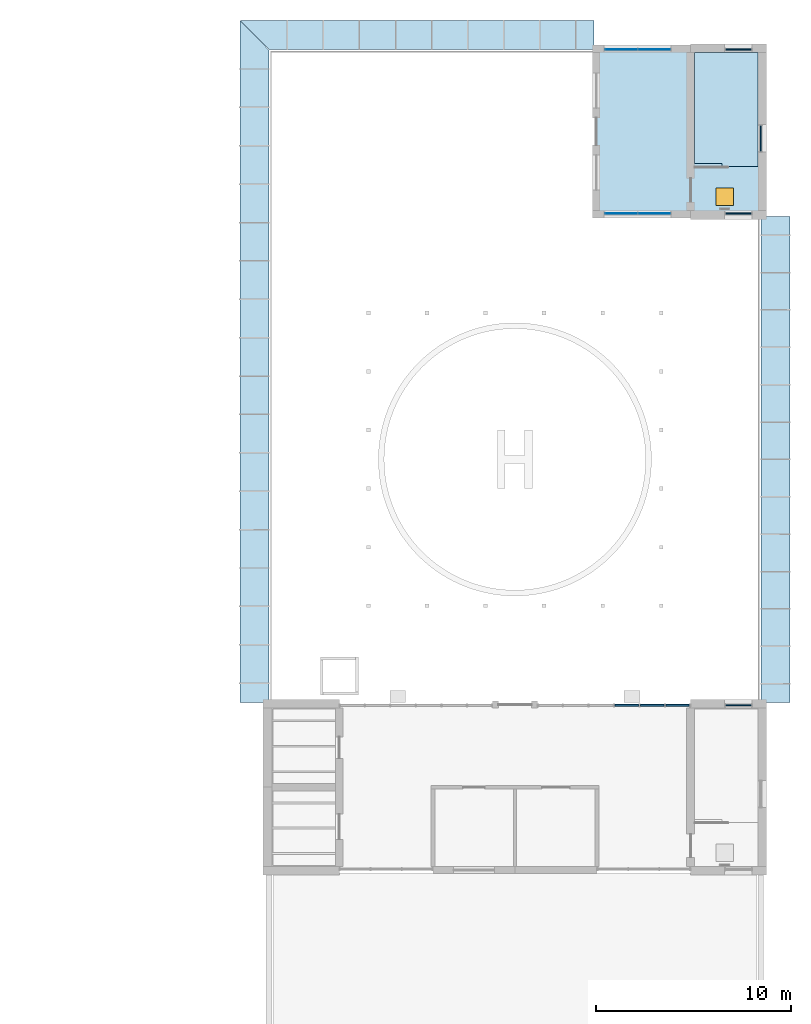
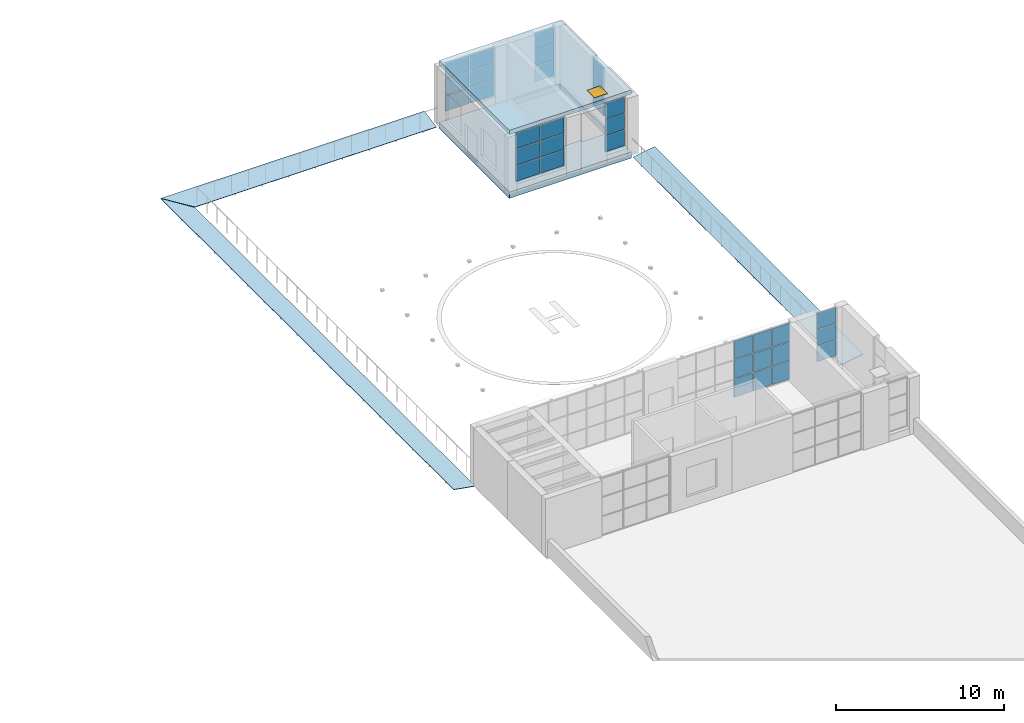
# One storey, part 31 of 66: 36 plates, 2 slabs, 1 door, 1 opening, 7 elements without a shape of their own.
"""IFC4 building model written with IfcOpenShell, lengths in metres."""

from ifc_helpers import new_model, si_unit, direction, frame, origin, origin_2d, place, context, subcontext, project, spatial, polyline, rectangle, outline, extrude, material, layer, layer_set, type_object, element, fill, aggregate, save


model = new_model("IFC4")

# Units and contexts
model_context = context("Model", 3, precision=1e-05, world=origin(), true_north=direction((0.0, 1.0)))
body_context = subcontext(model_context, "Body", "Model", "MODEL_VIEW")
ifc_project = project(units=[si_unit("LENGTHUNIT", "METRE"), si_unit("AREAUNIT", "SQUARE_METRE"), si_unit("VOLUMEUNIT", "CUBIC_METRE"), si_unit("PLANEANGLEUNIT", "RADIAN"), si_unit("MASSUNIT", "GRAM", prefix="KILO")], contexts=[model_context])

# Site, building, storey
site_placement = place(None, origin())
site = spatial("IfcSite", under=ifc_project, at=site_placement, CompositionType="ELEMENT")
building_placement = place(site_placement, origin())
building = spatial("IfcBuilding", under=site, at=building_placement, Name="Yavir Park General Hospital", CompositionType="ELEMENT")
storey_placement = place(building_placement, frame((0.0, 0.0, 8.39990234375)))
storey = spatial("IfcBuildingStorey", under=building, at=storey_placement, Name="L02", CompositionType="ELEMENT", Elevation=8.39990234375)

# Curtain wall, plates
ifc_material_1 = material(Name="Aluminium curtain wall frame with insulated glazing", Category="aluminium")
curtain_wall_type_1 = type_object("IfcCurtainWallType", Name="Clinical corridor end glazing, 3600 high, 1400 module", PredefinedType="NOTDEFINED", material=ifc_material_1)
curtain_wall_1_placement = place(storey_placement, origin())
curtain_wall_1 = element("IfcCurtainWall", 1, at=curtain_wall_1_placement, inside=storey, type_object=curtain_wall_type_1, Name="CW59 L02-014", PredefinedType="NOTDEFINED")
ifc_material_2 = material(Name="Solar-control insulated glazed unit 40 mm")
ifc_layer_1 = layer(ifc_material_2, 0.0400390625)
ifc_layer_set_1 = layer_set([ifc_layer_1], Name="Solar-control insulated glazed unit 40 mm")
plate_type_1 = type_object("IfcPlateType", Name="Clinical corridor end glazing, 3600 high panel 40", PredefinedType="CURTAIN_PANEL", material=ifc_layer_set_1)
plate_1_placement = place(storey_placement, frame((160.84375, 109.199951171875, 0.650146484375), z_axis=(0.0, 0.0, 1.0), x_axis=(1.0, 0.0, 0.0)))
plate_1 = element("IfcPlate", 2, at=plate_1_placement, type_object=plate_type_1, Name="CW59 panel 1.1", PredefinedType="CURTAIN_PANEL", context=body_context, shape_type="SweptSolid", body=[
    extrude(rectangle(XDim=1.637451171875, YDim=0.0400390625, at=origin_2d()), origin(), (0.0, 0.0, 1.0), 1.125),
])
plate_2_placement = place(storey_placement, frame((160.84375, 109.199951171875, 1.8251953125), z_axis=(0.0, 0.0, 1.0), x_axis=(1.0, 0.0, 0.0)))
plate_2 = element("IfcPlate", 3, at=plate_2_placement, type_object=plate_type_1, Name="CW59 panel 1.2", PredefinedType="CURTAIN_PANEL", context=body_context, shape_type="SweptSolid", body=[
    extrude(rectangle(XDim=1.637451171875, YDim=0.0400390625, at=origin_2d()), origin(), (0.0, 0.0, 1.0), 1.14990234375),
])
plate_3_placement = place(storey_placement, frame((160.84375, 109.199951171875, 3.025146484375), z_axis=(0.0, 0.0, 1.0), x_axis=(1.0, 0.0, 0.0)))
plate_3 = element("IfcPlate", 4, at=plate_3_placement, type_object=plate_type_1, Name="CW59 panel 1.3", PredefinedType="CURTAIN_PANEL", context=body_context, shape_type="SweptSolid", body=[
    extrude(rectangle(XDim=1.637451171875, YDim=0.0400390625, at=origin_2d()), origin(), (0.0, 0.0, 1.0), 1.125),
])
plate_4_placement = place(storey_placement, frame((162.53125, 109.199951171875, 0.650146484375), z_axis=(0.0, 0.0, 1.0), x_axis=(1.0, 0.0, 0.0)))
plate_4 = element("IfcPlate", 5, at=plate_4_placement, type_object=plate_type_1, Name="CW59 panel 2.1", PredefinedType="CURTAIN_PANEL", context=body_context, shape_type="SweptSolid", body=[
    extrude(rectangle(XDim=1.637451171875, YDim=0.0400390625, at=origin_2d()), origin(), (0.0, 0.0, 1.0), 1.125),
])
plate_5_placement = place(storey_placement, frame((162.53125, 109.199951171875, 1.8251953125), z_axis=(0.0, 0.0, 1.0), x_axis=(1.0, 0.0, 0.0)))
plate_5 = element("IfcPlate", 6, at=plate_5_placement, type_object=plate_type_1, Name="CW59 panel 2.2", PredefinedType="CURTAIN_PANEL", context=body_context, shape_type="SweptSolid", body=[
    extrude(rectangle(XDim=1.637451171875, YDim=0.0400390625, at=origin_2d()), origin(), (0.0, 0.0, 1.0), 1.14990234375),
])
plate_6_placement = place(storey_placement, frame((162.53125, 109.199951171875, 3.025146484375), z_axis=(0.0, 0.0, 1.0), x_axis=(1.0, 0.0, 0.0)))
plate_6 = element("IfcPlate", 7, at=plate_6_placement, type_object=plate_type_1, Name="CW59 panel 2.3", PredefinedType="CURTAIN_PANEL", context=body_context, shape_type="SweptSolid", body=[
    extrude(rectangle(XDim=1.637451171875, YDim=0.0400390625, at=origin_2d()), origin(), (0.0, 0.0, 1.0), 1.125),
])
aggregate(curtain_wall_1, [plate_1, plate_2, plate_3, plate_4, plate_5, plate_6])

curtain_wall_2_placement = place(storey_placement, origin())
curtain_wall_2 = element("IfcCurtainWall", 8, at=curtain_wall_2_placement, inside=storey, type_object=curtain_wall_type_1, Name="CW59 L02-018", PredefinedType="NOTDEFINED")
plate_7_placement = place(storey_placement, frame((160.84375, 117.60009765625, 0.650146484375), z_axis=(0.0, 0.0, 1.0), x_axis=(1.0, 0.0, 0.0)))
plate_7 = element("IfcPlate", 9, at=plate_7_placement, type_object=plate_type_1, Name="CW59 panel 1.1", PredefinedType="CURTAIN_PANEL", context=body_context, shape_type="SweptSolid", body=[
    extrude(rectangle(XDim=1.637451171875, YDim=0.0400390625, at=origin_2d()), origin(), (0.0, 0.0, 1.0), 1.125),
])
plate_8_placement = place(storey_placement, frame((160.84375, 117.60009765625, 1.8251953125), z_axis=(0.0, 0.0, 1.0), x_axis=(1.0, 0.0, 0.0)))
plate_8 = element("IfcPlate", 10, at=plate_8_placement, type_object=plate_type_1, Name="CW59 panel 1.2", PredefinedType="CURTAIN_PANEL", context=body_context, shape_type="SweptSolid", body=[
    extrude(rectangle(XDim=1.637451171875, YDim=0.0400390625, at=origin_2d()), origin(), (0.0, 0.0, 1.0), 1.14990234375),
])
plate_9_placement = place(storey_placement, frame((160.84375, 117.60009765625, 3.025146484375), z_axis=(0.0, 0.0, 1.0), x_axis=(1.0, 0.0, 0.0)))
plate_9 = element("IfcPlate", 11, at=plate_9_placement, type_object=plate_type_1, Name="CW59 panel 1.3", PredefinedType="CURTAIN_PANEL", context=body_context, shape_type="SweptSolid", body=[
    extrude(rectangle(XDim=1.637451171875, YDim=0.0400390625, at=origin_2d()), origin(), (0.0, 0.0, 1.0), 1.125),
])
plate_10_placement = place(storey_placement, frame((162.53125, 117.60009765625, 0.650146484375), z_axis=(0.0, 0.0, 1.0), x_axis=(1.0, 0.0, 0.0)))
plate_10 = element("IfcPlate", 12, at=plate_10_placement, type_object=plate_type_1, Name="CW59 panel 2.1", PredefinedType="CURTAIN_PANEL", context=body_context, shape_type="SweptSolid", body=[
    extrude(rectangle(XDim=1.637451171875, YDim=0.0400390625, at=origin_2d()), origin(), (0.0, 0.0, 1.0), 1.125),
])
plate_11_placement = place(storey_placement, frame((162.53125, 117.60009765625, 1.8251953125), z_axis=(0.0, 0.0, 1.0), x_axis=(1.0, 0.0, 0.0)))
plate_11 = element("IfcPlate", 13, at=plate_11_placement, type_object=plate_type_1, Name="CW59 panel 2.2", PredefinedType="CURTAIN_PANEL", context=body_context, shape_type="SweptSolid", body=[
    extrude(rectangle(XDim=1.637451171875, YDim=0.0400390625, at=origin_2d()), origin(), (0.0, 0.0, 1.0), 1.14990234375),
])
plate_12_placement = place(storey_placement, frame((162.53125, 117.60009765625, 3.025146484375), z_axis=(0.0, 0.0, 1.0), x_axis=(1.0, 0.0, 0.0)))
plate_12 = element("IfcPlate", 14, at=plate_12_placement, type_object=plate_type_1, Name="CW59 panel 2.3", PredefinedType="CURTAIN_PANEL", context=body_context, shape_type="SweptSolid", body=[
    extrude(rectangle(XDim=1.637451171875, YDim=0.0400390625, at=origin_2d()), origin(), (0.0, 0.0, 1.0), 1.125),
])
aggregate(curtain_wall_2, [plate_7, plate_8, plate_9, plate_10, plate_11, plate_12])

ifc_material_3 = material(Name="Aluminium curtain wall frame with insulated glazing", Category="aluminium")
curtain_wall_type_2 = type_object("IfcCurtainWallType", Name="Helipad lobby glazing, 4200 high, 1400 module", PredefinedType="NOTDEFINED", material=ifc_material_3)
curtain_wall_3_placement = place(storey_placement, origin())
curtain_wall_3 = element("IfcCurtainWall", 15, at=curtain_wall_3_placement, inside=storey, type_object=curtain_wall_type_2, Name="CW7 L02-012", PredefinedType="NOTDEFINED")
ifc_material_4 = material(Name="Acoustic glazed unit 80 mm")
ifc_layer_2 = layer(ifc_material_4, 0.080078125)
ifc_layer_set_2 = layer_set([ifc_layer_2], Name="Acoustic glazed unit 80 mm")
plate_type_2 = type_object("IfcPlateType", Name="Helipad lobby glazing, 4200 high panel 80", PredefinedType="CURTAIN_PANEL", material=ifc_layer_set_2)
plate_13_placement = place(storey_placement, frame((161.129150390625, 84.0, 0.06005859375), z_axis=(0.0, 0.0, 1.0), x_axis=(1.0, 0.0, 0.0)))
plate_13 = element("IfcPlate", 16, at=plate_13_placement, type_object=plate_type_2, Name="CW7 panel 4.1", PredefinedType="CURTAIN_PANEL", context=body_context, shape_type="SweptSolid", body=[
    extrude(rectangle(XDim=1.248291015625, YDim=0.080078125, at=origin_2d()), origin(), (0.0, 0.0, 1.0), 1.31005859375),
])
plate_14_placement = place(storey_placement, frame((161.129150390625, 84.0, 1.43017578125), z_axis=(0.0, 0.0, 1.0), x_axis=(1.0, 0.0, 0.0)))
plate_14 = element("IfcPlate", 17, at=plate_14_placement, type_object=plate_type_2, Name="CW7 panel 4.2", PredefinedType="CURTAIN_PANEL", context=body_context, shape_type="SweptSolid", body=[
    extrude(rectangle(XDim=1.248291015625, YDim=0.080078125, at=origin_2d()), origin(), (0.0, 0.0, 1.0), 1.340087890625),
])
plate_15_placement = place(storey_placement, frame((161.129150390625, 84.0, 2.830078125), z_axis=(0.0, 0.0, 1.0), x_axis=(1.0, 0.0, 0.0)))
plate_15 = element("IfcPlate", 18, at=plate_15_placement, type_object=plate_type_2, Name="CW7 panel 4.3", PredefinedType="CURTAIN_PANEL", context=body_context, shape_type="SweptSolid", body=[
    extrude(rectangle(XDim=1.248291015625, YDim=0.080078125, at=origin_2d()), origin(), (0.0, 0.0, 1.0), 1.31005859375),
])
plate_16_placement = place(storey_placement, frame((162.4375, 84.0, 0.06005859375), z_axis=(0.0, 0.0, 1.0), x_axis=(1.0, 0.0, 0.0)))
plate_16 = element("IfcPlate", 19, at=plate_16_placement, type_object=plate_type_2, Name="CW7 panel 5.1", PredefinedType="CURTAIN_PANEL", context=body_context, shape_type="SweptSolid", body=[
    extrude(rectangle(XDim=1.248291015625, YDim=0.080078125, at=origin_2d()), origin(), (0.0, 0.0, 1.0), 1.31005859375),
])
plate_17_placement = place(storey_placement, frame((162.4375, 84.0, 1.43017578125), z_axis=(0.0, 0.0, 1.0), x_axis=(1.0, 0.0, 0.0)))
plate_17 = element("IfcPlate", 20, at=plate_17_placement, type_object=plate_type_2, Name="CW7 panel 5.2", PredefinedType="CURTAIN_PANEL", context=body_context, shape_type="SweptSolid", body=[
    extrude(rectangle(XDim=1.248291015625, YDim=0.080078125, at=origin_2d()), origin(), (0.0, 0.0, 1.0), 1.340087890625),
])
plate_18_placement = place(storey_placement, frame((162.4375, 84.0, 2.830078125), z_axis=(0.0, 0.0, 1.0), x_axis=(1.0, 0.0, 0.0)))
plate_18 = element("IfcPlate", 21, at=plate_18_placement, type_object=plate_type_2, Name="CW7 panel 5.3", PredefinedType="CURTAIN_PANEL", context=body_context, shape_type="SweptSolid", body=[
    extrude(rectangle(XDim=1.248291015625, YDim=0.080078125, at=origin_2d()), origin(), (0.0, 0.0, 1.0), 1.31005859375),
])
plate_19_placement = place(storey_placement, frame((163.730712890625, 84.0, 0.06005859375), z_axis=(0.0, 0.0, 1.0), x_axis=(1.0, 0.0, 0.0)))
plate_19 = element("IfcPlate", 22, at=plate_19_placement, type_object=plate_type_2, Name="CW7 panel 6.1", PredefinedType="CURTAIN_PANEL", context=body_context, shape_type="SweptSolid", body=[
    extrude(rectangle(XDim=1.21826171875, YDim=0.080078125, at=origin_2d()), origin(), (0.0, 0.0, 1.0), 1.31005859375),
])
plate_20_placement = place(storey_placement, frame((163.730712890625, 84.0, 1.43017578125), z_axis=(0.0, 0.0, 1.0), x_axis=(1.0, 0.0, 0.0)))
plate_20 = element("IfcPlate", 23, at=plate_20_placement, type_object=plate_type_2, Name="CW7 panel 6.2", PredefinedType="CURTAIN_PANEL", context=body_context, shape_type="SweptSolid", body=[
    extrude(rectangle(XDim=1.21826171875, YDim=0.080078125, at=origin_2d()), origin(), (0.0, 0.0, 1.0), 1.340087890625),
])
plate_21_placement = place(storey_placement, frame((163.730712890625, 84.0, 2.830078125), z_axis=(0.0, 0.0, 1.0), x_axis=(1.0, 0.0, 0.0)))
plate_21 = element("IfcPlate", 24, at=plate_21_placement, type_object=plate_type_2, Name="CW7 panel 6.3", PredefinedType="CURTAIN_PANEL", context=body_context, shape_type="SweptSolid", body=[
    extrude(rectangle(XDim=1.21826171875, YDim=0.080078125, at=origin_2d()), origin(), (0.0, 0.0, 1.0), 1.31005859375),
])
aggregate(curtain_wall_3, [plate_13, plate_14, plate_15, plate_16, plate_17, plate_18, plate_19, plate_20, plate_21])

# Plates
ifc_material_5 = material(Name="Stainless steel mesh", Category="steel")
ifc_layer_3 = layer(ifc_material_5, 0.030029296875)
ifc_layer_set_3 = layer_set([ifc_layer_3], Name="Stainless steel mesh")
plate_type_3 = type_object("IfcPlateType", Name="Helipad safety net 1500", PredefinedType="SHEET", material=ifc_layer_set_3)
plate_22_placement = place(storey_placement, frame((159.449951171875, 117.614501953125, -0.297607421875), z_axis=(0.0, -0.173637074193, 0.98480971079), x_axis=(-1.0, 0.0, 0.0)))
element("IfcPlate", 25, at=plate_22_placement, inside=storey, type_object=plate_type_3, Name="Helipad safety net 1.1", PredefinedType="SHEET", context=body_context, shape_type="SweptSolid", body=[
    extrude(outline(polyline([(0.0, 0.0), (16.639892578125, 0.0), (18.139892578125, -1.5030564718823913), (0.0, -1.5030564718823913), (0.0, 0.0)])), origin(), (0.0, 0.0, -1.0), 0.030029296875),
])
plate_23_placement = place(storey_placement, frame((142.785400390625, 117.590087890625, -0.297607421875), z_axis=(0.173637074193, 0.0, 0.98480971079), x_axis=(0.0, -1.0, 0.0)))
element("IfcPlate", 26, at=plate_23_placement, inside=storey, type_object=plate_type_3, Name="Helipad safety net 1.2", PredefinedType="SHEET", context=body_context, shape_type="SweptSolid", body=[
    extrude(outline(polyline([(0.0, 0.0), (33.440185546875, 0.0), (33.440185546875, -1.5030564718823913), (-1.5, -1.5030564718823913), (0.0, 0.0)])), origin(), (0.0, 0.0, -1.0), 0.030029296875),
])
plate_24_placement = place(storey_placement, frame((168.014404296875, 84.14990234375, -0.297607421875), z_axis=(-0.173609303217, 0.0, 0.984814606835), x_axis=(0.0, 1.0, 0.0)))
element("IfcPlate", 27, at=plate_24_placement, inside=storey, type_object=plate_type_3, Name="Helipad safety net 2.1", PredefinedType="SHEET", context=body_context, shape_type="SweptSolid", body=[
    extrude(outline(polyline([(0.0, 0.0), (24.900146484375, 0.0), (24.900146484375, -1.5032969045383993), (0.0, -1.5032969045383993), (0.0, 0.0)])), origin(), (0.0, 0.0, -1.0), 0.030029296875),
])

# Slab
ifc_material_6 = material(Name="Concrete C35/45", Category="concrete")
ifc_layer_4 = layer(ifc_material_6, 0.449951171875)
ifc_layer_set_4 = layer_set([ifc_layer_4], Name="Concrete C35/45")
slab_type_1 = type_object("IfcSlabType", Name="RC SLAB FLOOR 450", PredefinedType="FLOOR", material=ifc_layer_set_4)
slab_1_placement = place(storey_placement, frame((0.0, 0.0, -0.4501953125)))
element("IfcSlab", 28, at=slab_1_placement, inside=storey, type_object=slab_type_1, Name="S:L02:2", PredefinedType="FLOOR", context=body_context, shape_type="SweptSolid", body=[
    extrude(outline(polyline([(159.60009765625, 117.60009765625), (159.60009765625, 109.199951171875), (168.0, 109.199951171875), (168.0, 117.60009765625), (159.60009765625, 117.60009765625)]), holes=[polyline([(166.0, 111.75146484375), (164.60009765625, 111.75146484375), (164.60009765625, 117.449951171875), (167.85009765625, 117.449951171875), (167.85009765625, 111.6015625), (166.0, 111.6015625), (166.0, 111.75146484375)])]), origin(), (0.0, 0.0, 1.0), 0.4501953125),
])

# Slab, opening, door
ifc_material_7 = material(Name="Concrete C35/45", Category="concrete")
ifc_layer_5 = layer(ifc_material_7, 0.300048828125)
ifc_layer_set_5 = layer_set([ifc_layer_5], Name="Concrete C35/45")
slab_type_2 = type_object("IfcSlabType", Name="RC SLAB ROOF 300", PredefinedType="ROOF", material=ifc_layer_set_5)
slab_2_placement = place(storey_placement, frame((0.0, 0.0, 4.199951171875)))
slab_2 = element("IfcSlab", 29, at=slab_2_placement, inside=storey, type_object=slab_type_2, Name="RF:L02:1", PredefinedType="ROOF", context=body_context, shape_type="SweptSolid", body=[
    extrude(outline(polyline([(168.0, 117.60009765625), (159.60009765625, 117.60009765625), (159.60009765625, 109.199951171875), (168.0, 109.199951171875), (168.0, 117.60009765625)])), origin(), (0.0, 0.0, 1.0), 0.300048828125),
])
opening_placement = place(slab_2_placement, frame((166.14990234375, 110.050048828125, 0.0)))
opening = element("IfcOpeningElement", 30, at=opening_placement, cuts=slab_2, Name="Opening L02.H02", PredefinedType="OPENING", context=body_context, shape_type="SweptSolid", body=[
    extrude(rectangle(XDim=0.89990234375, YDim=0.89990234375, at=origin_2d()), origin(), (0.0, 0.0, 1.0), 0.300048828125),
])
ifc_material_8 = material(Name="Insulated steel hatch cover", Category="steel")
door_type = type_object("IfcDoorType", Name="Roof access hatch 900 x 900", OperationType="SINGLE_SWING_LEFT", PredefinedType="TRAPDOOR", material=ifc_material_8)
door_placement = place(opening_placement, frame((0.0, 0.0, 0.25)))
door = element("IfcDoor", 31, at=door_placement, inside=storey, type_object=door_type, Name="L02.H02", OperationType="SINGLE_SWING_LEFT", OverallHeight=0.89990234375, OverallWidth=0.89990234375, PredefinedType="TRAPDOOR", context=body_context, shape_type="SweptSolid", body=[
    extrude(rectangle(XDim=0.89990234375, YDim=0.89990234375, at=origin_2d()), origin(), (0.0, 0.0, 1.0), 0.050048828125),
])
fill(opening, door)

# Curtain wall, plates
ifc_material_9 = material(Name="Aluminium curtain wall frame with insulated glazing", Category="aluminium")
curtain_wall_type_3 = type_object("IfcCurtainWallType", Name="Stair light slot, podium, 3600 high, 1400 module", PredefinedType="NOTDEFINED", material=ifc_material_9)
curtain_wall_4_placement = place(storey_placement, origin())
curtain_wall_4 = element("IfcCurtainWall", 32, at=curtain_wall_4_placement, inside=storey, type_object=curtain_wall_type_3, Name="CW57 L02-013", PredefinedType="NOTDEFINED")
ifc_material_10 = material(Name="Fire-resisting glazed unit 70 mm")
ifc_layer_6 = layer(ifc_material_10, 0.070068359375)
ifc_layer_set_6 = layer_set([ifc_layer_6], Name="Fire-resisting glazed unit 70 mm")
plate_type_4 = type_object("IfcPlateType", Name="Stair light slot, podium, 3600 high panel 70", PredefinedType="CURTAIN_PANEL", material=ifc_layer_set_6)
plate_25_placement = place(storey_placement, frame((166.85009765625, 84.0, 0.650146484375), z_axis=(0.0, 0.0, 1.0), x_axis=(1.0, 0.0, 0.0)))
plate_25 = element("IfcPlate", 33, at=plate_25_placement, type_object=plate_type_4, Name="CW57 panel 1.1", PredefinedType="CURTAIN_PANEL", context=body_context, shape_type="SweptSolid", body=[
    extrude(rectangle(XDim=1.300048828125, YDim=0.070068359375, at=origin_2d()), origin(), (0.0, 0.0, 1.0), 1.125),
])
plate_26_placement = place(storey_placement, frame((166.85009765625, 84.0, 1.8251953125), z_axis=(0.0, 0.0, 1.0), x_axis=(1.0, 0.0, 0.0)))
plate_26 = element("IfcPlate", 34, at=plate_26_placement, type_object=plate_type_4, Name="CW57 panel 1.2", PredefinedType="CURTAIN_PANEL", context=body_context, shape_type="SweptSolid", body=[
    extrude(rectangle(XDim=1.300048828125, YDim=0.070068359375, at=origin_2d()), origin(), (0.0, 0.0, 1.0), 1.14990234375),
])
plate_27_placement = place(storey_placement, frame((166.85009765625, 84.0, 3.025146484375), z_axis=(0.0, 0.0, 1.0), x_axis=(1.0, 0.0, 0.0)))
plate_27 = element("IfcPlate", 35, at=plate_27_placement, type_object=plate_type_4, Name="CW57 panel 1.3", PredefinedType="CURTAIN_PANEL", context=body_context, shape_type="SweptSolid", body=[
    extrude(rectangle(XDim=1.300048828125, YDim=0.070068359375, at=origin_2d()), origin(), (0.0, 0.0, 1.0), 1.125),
])
aggregate(curtain_wall_4, [plate_25, plate_26, plate_27])

curtain_wall_5_placement = place(storey_placement, origin())
curtain_wall_5 = element("IfcCurtainWall", 36, at=curtain_wall_5_placement, inside=storey, type_object=curtain_wall_type_3, Name="CW57 L02-015", PredefinedType="NOTDEFINED")
plate_28_placement = place(storey_placement, frame((166.85009765625, 109.199951171875, 0.650146484375), z_axis=(0.0, 0.0, 1.0), x_axis=(1.0, 0.0, 0.0)))
plate_28 = element("IfcPlate", 37, at=plate_28_placement, type_object=plate_type_4, Name="CW57 panel 1.1", PredefinedType="CURTAIN_PANEL", context=body_context, shape_type="SweptSolid", body=[
    extrude(rectangle(XDim=1.300048828125, YDim=0.070068359375, at=origin_2d()), origin(), (0.0, 0.0, 1.0), 1.125),
])
plate_29_placement = place(storey_placement, frame((166.85009765625, 109.199951171875, 1.8251953125), z_axis=(0.0, 0.0, 1.0), x_axis=(1.0, 0.0, 0.0)))
plate_29 = element("IfcPlate", 38, at=plate_29_placement, type_object=plate_type_4, Name="CW57 panel 1.2", PredefinedType="CURTAIN_PANEL", context=body_context, shape_type="SweptSolid", body=[
    extrude(rectangle(XDim=1.300048828125, YDim=0.070068359375, at=origin_2d()), origin(), (0.0, 0.0, 1.0), 1.14990234375),
])
plate_30_placement = place(storey_placement, frame((166.85009765625, 109.199951171875, 3.025146484375), z_axis=(0.0, 0.0, 1.0), x_axis=(1.0, 0.0, 0.0)))
plate_30 = element("IfcPlate", 39, at=plate_30_placement, type_object=plate_type_4, Name="CW57 panel 1.3", PredefinedType="CURTAIN_PANEL", context=body_context, shape_type="SweptSolid", body=[
    extrude(rectangle(XDim=1.300048828125, YDim=0.070068359375, at=origin_2d()), origin(), (0.0, 0.0, 1.0), 1.125),
])
aggregate(curtain_wall_5, [plate_28, plate_29, plate_30])

curtain_wall_6_placement = place(storey_placement, origin())
curtain_wall_6 = element("IfcCurtainWall", 40, at=curtain_wall_6_placement, inside=storey, type_object=curtain_wall_type_3, Name="CW57 L02-019", PredefinedType="NOTDEFINED")
plate_31_placement = place(storey_placement, frame((166.85009765625, 117.60009765625, 0.650146484375), z_axis=(0.0, 0.0, 1.0), x_axis=(1.0, 0.0, 0.0)))
plate_31 = element("IfcPlate", 41, at=plate_31_placement, type_object=plate_type_4, Name="CW57 panel 1.1", PredefinedType="CURTAIN_PANEL", context=body_context, shape_type="SweptSolid", body=[
    extrude(rectangle(XDim=1.300048828125, YDim=0.070068359375, at=origin_2d()), origin(), (0.0, 0.0, 1.0), 1.125),
])
plate_32_placement = place(storey_placement, frame((166.85009765625, 117.60009765625, 1.8251953125), z_axis=(0.0, 0.0, 1.0), x_axis=(1.0, 0.0, 0.0)))
plate_32 = element("IfcPlate", 42, at=plate_32_placement, type_object=plate_type_4, Name="CW57 panel 1.2", PredefinedType="CURTAIN_PANEL", context=body_context, shape_type="SweptSolid", body=[
    extrude(rectangle(XDim=1.300048828125, YDim=0.070068359375, at=origin_2d()), origin(), (0.0, 0.0, 1.0), 1.14990234375),
])
plate_33_placement = place(storey_placement, frame((166.85009765625, 117.60009765625, 3.025146484375), z_axis=(0.0, 0.0, 1.0), x_axis=(1.0, 0.0, 0.0)))
plate_33 = element("IfcPlate", 43, at=plate_33_placement, type_object=plate_type_4, Name="CW57 panel 1.3", PredefinedType="CURTAIN_PANEL", context=body_context, shape_type="SweptSolid", body=[
    extrude(rectangle(XDim=1.300048828125, YDim=0.070068359375, at=origin_2d()), origin(), (0.0, 0.0, 1.0), 1.125),
])
aggregate(curtain_wall_6, [plate_31, plate_32, plate_33])

curtain_wall_7_placement = place(storey_placement, origin())
curtain_wall_7 = element("IfcCurtainWall", 44, at=curtain_wall_7_placement, inside=storey, type_object=curtain_wall_type_3, Name="CW57 L02-027", PredefinedType="NOTDEFINED")
plate_34_placement = place(storey_placement, frame((168.0, 113.050048828125, 0.650146484375), z_axis=(0.0, 0.0, 1.0), x_axis=(0.0, 1.0, 0.0)))
plate_34 = element("IfcPlate", 45, at=plate_34_placement, type_object=plate_type_4, Name="CW57 panel 1.1", PredefinedType="CURTAIN_PANEL", context=body_context, shape_type="SweptSolid", body=[
    extrude(rectangle(XDim=1.300048828125, YDim=0.070068359375, at=origin_2d()), origin(), (0.0, 0.0, 1.0), 1.125),
])
plate_35_placement = place(storey_placement, frame((168.0, 113.050048828125, 1.8251953125), z_axis=(0.0, 0.0, 1.0), x_axis=(0.0, 1.0, 0.0)))
plate_35 = element("IfcPlate", 46, at=plate_35_placement, type_object=plate_type_4, Name="CW57 panel 1.2", PredefinedType="CURTAIN_PANEL", context=body_context, shape_type="SweptSolid", body=[
    extrude(rectangle(XDim=1.300048828125, YDim=0.070068359375, at=origin_2d()), origin(), (0.0, 0.0, 1.0), 1.14990234375),
])
plate_36_placement = place(storey_placement, frame((168.0, 113.050048828125, 3.025146484375), z_axis=(0.0, 0.0, 1.0), x_axis=(0.0, 1.0, 0.0)))
plate_36 = element("IfcPlate", 47, at=plate_36_placement, type_object=plate_type_4, Name="CW57 panel 1.3", PredefinedType="CURTAIN_PANEL", context=body_context, shape_type="SweptSolid", body=[
    extrude(rectangle(XDim=1.300048828125, YDim=0.070068359375, at=origin_2d()), origin(), (0.0, 0.0, 1.0), 1.125),
])
aggregate(curtain_wall_7, [plate_34, plate_35, plate_36])

save(model, "model.ifc")
